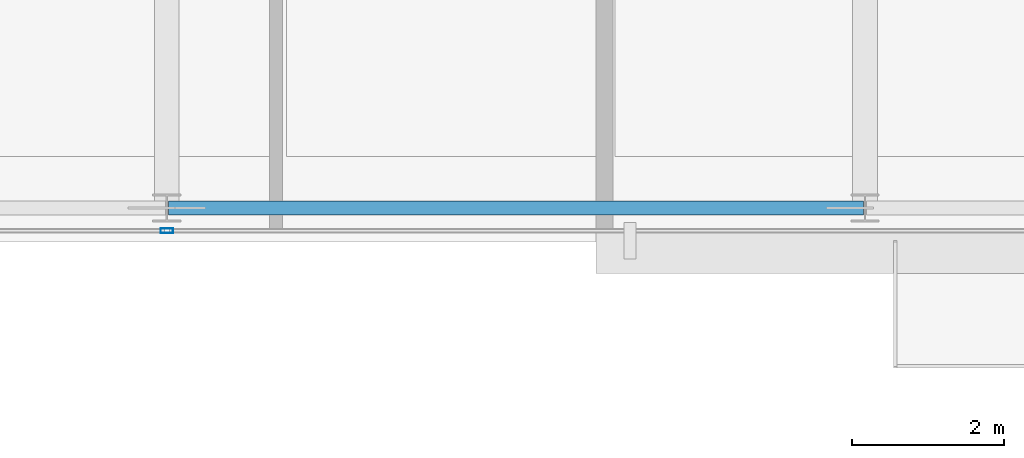
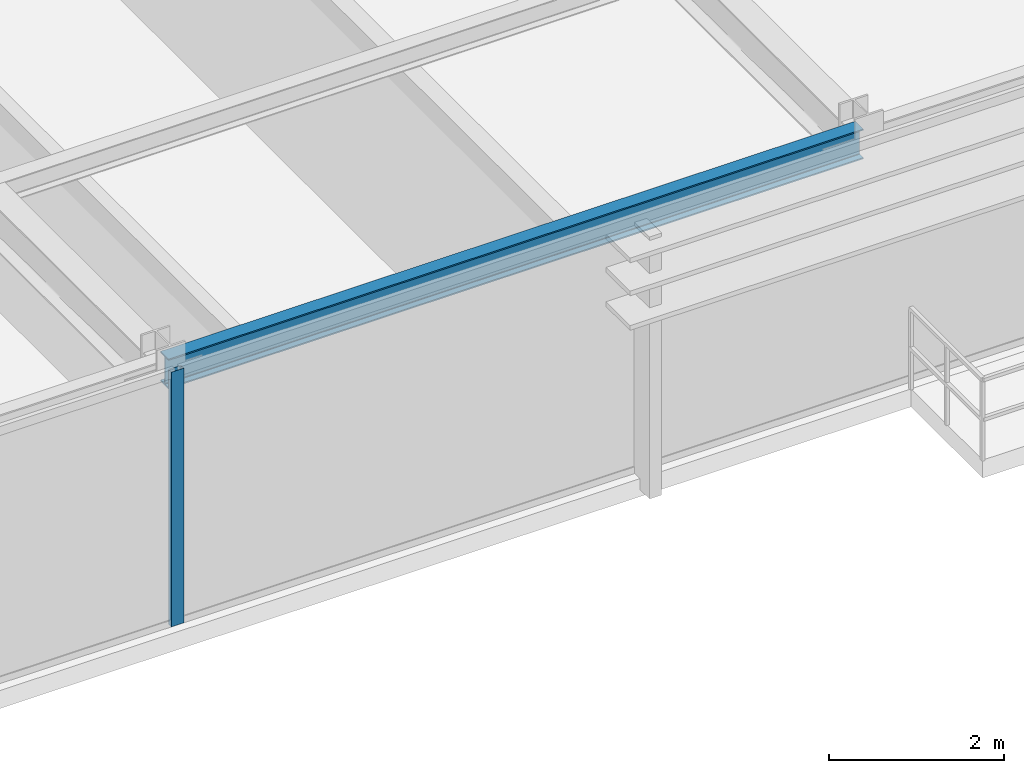
# One storey, part 8 of 31: 1 beam, 1 member, 1 element without a shape of its own.
"""IFC4 building model written with IfcOpenShell, lengths in metres."""

from ifc_helpers import new_model, si_unit, direction, frame, origin, origin_2d, place, context, subcontext, project, spatial, hollow_rectangle, i_section, extrude, source, transform, mapped, material, layer, layer_set, material_profile, profile_set, type_object, type_shapes, element, aggregate, save


model = new_model("IFC4")

# Units and contexts
model_context = context("Model", 3, precision=1e-05, world=origin(), true_north=direction((0.0, 1.0)))
body_context = subcontext(model_context, "Body", "Model", "MODEL_VIEW")
ifc_project = project(units=[si_unit("LENGTHUNIT", "METRE"), si_unit("AREAUNIT", "SQUARE_METRE"), si_unit("VOLUMEUNIT", "CUBIC_METRE"), si_unit("PLANEANGLEUNIT", "RADIAN"), si_unit("MASSUNIT", "GRAM", prefix="KILO")], contexts=[model_context])

# Site, building, storey
site_placement = place(None, origin())
site = spatial("IfcSite", under=ifc_project, at=site_placement, CompositionType="ELEMENT")
building_placement = place(site_placement, origin())
building = spatial("IfcBuilding", under=site, at=building_placement, Name="Varnel Quay Broadcast Tower", CompositionType="ELEMENT")
storey_placement = place(building_placement, frame((0.0, 0.0, 157.199951171875)))
storey = spatial("IfcBuildingStorey", under=building, at=storey_placement, Name="L38", CompositionType="ELEMENT", Elevation=157.199951171875)

# Beam
ifc_material_1 = material(Name="Structural Steel CSA G40.21 350W", Category="steel")
ifc_material_profile_1 = material_profile(ifc_material_1, i_section(OverallWidth=0.180908203125, OverallDepth=0.4169921875, WebThickness=0.010986328125, FlangeThickness=0.018310546875, FilletRadius=0.011962890625, at=origin_2d()), Name="W410X85")
ifc_profile_set_1 = profile_set([ifc_material_profile_1], Name="Structural Steel CSA G40.21 350W")
beam_type = type_object("IfcBeamType", Name="Beam_W410X85", PredefinedType="SPANDREL", material=ifc_profile_set_1)
shared_shape_1 = source(origin(), body_context, "Body", "SweptSolid", [
    extrude(i_section(OverallWidth=0.180908203125, OverallDepth=0.4169921875, WebThickness=0.010986328125, FlangeThickness=0.018310546875, FilletRadius=0.011962890625, at=origin_2d()), origin(), (0.0, 0.0, 1.0), 9.159912109375),
])
type_shapes(beam_type, [shared_shape_1])
beam_placement = place(storey_placement, frame((34.02001953125, 7.64990234375, 3.341552734375), z_axis=(1.0, 0.0, 0.0), x_axis=(0.0, 1.0, 0.0)))
element("IfcBeam", 1, at=beam_placement, inside=storey, type_object=beam_type, Name="L38 South Spandrel TC-S3-TC-S4", PredefinedType="SPANDREL", context=body_context, shape_type="MappedRepresentation", body=[
    mapped(shared_shape_1, transform((0.0, 0.0, 0.0), x_axis=(1.0, 0.0, 0.0), y_axis=(0.0, 1.0, 0.0), z_axis=(0.0, 0.0, 1.0), scale=1.0)),
])

# Curtain wall, member
ifc_material_2 = material(Name="Anodised Bronze Aluminium 6063-T6", Category="aluminium")
ifc_layer = layer(ifc_material_2, 0.18994140625, Name="Anodised Bronze Aluminium 6063-T6")
ifc_layer_set = layer_set([ifc_layer], Name="Anodised Bronze Aluminium 6063-T6")
curtain_wall_type = type_object("IfcCurtainWallType", Name="CW_UpperTower", PredefinedType="NOTDEFINED", material=ifc_layer_set)
curtain_wall_placement = place(storey_placement, origin())
curtain_wall = element("IfcCurtainWall", 2, at=curtain_wall_placement, inside=storey, type_object=curtain_wall_type, Name="L38 South Unitised Curtain Wall 2", PredefinedType="NOTDEFINED")
ifc_material_profile_2 = material_profile(ifc_material_2, hollow_rectangle(XDim=0.06494140625, YDim=0.1650390625, WallThickness=0.00341796875, at=origin_2d()), Name="ALU65X165X3.5")
ifc_profile_set_2 = profile_set([ifc_material_profile_2], Name="Anodised Bronze Aluminium 6063-T6")
member_type = type_object("IfcMemberType", Name="Mull_CWS-03", PredefinedType="MULLION", material=ifc_profile_set_2)
shared_shape_2 = source(origin(), body_context, "Body", "SweptSolid", [
    extrude(hollow_rectangle(XDim=0.06494140625, YDim=0.1650390625, WallThickness=0.00341796875, at=origin_2d()), origin(), (0.0, 0.0, 1.0), 3.550048828125),
])
type_shapes(member_type, [shared_shape_2])
member_placement = place(storey_placement, frame((34.0, 7.35009765625, 0.0), z_axis=(0.0, 0.0, 1.0), x_axis=(0.0, 1.0, 0.0)))
member = element("IfcMember", 3, at=member_placement, type_object=member_type, Name="CWS-03 mullion 2", PredefinedType="MULLION", context=body_context, shape_type="MappedRepresentation", body=[
    mapped(shared_shape_2, transform((0.0, 0.0, 0.0), x_axis=(1.0, 0.0, 0.0), y_axis=(0.0, 1.0, 0.0), z_axis=(0.0, 0.0, 1.0), scale=1.0)),
])
aggregate(curtain_wall, [member])

save(model, "model.ifc")
